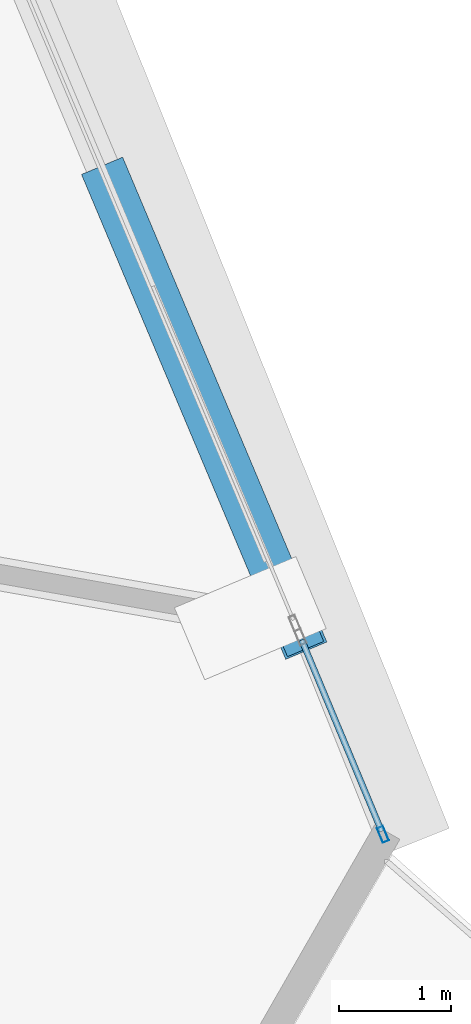
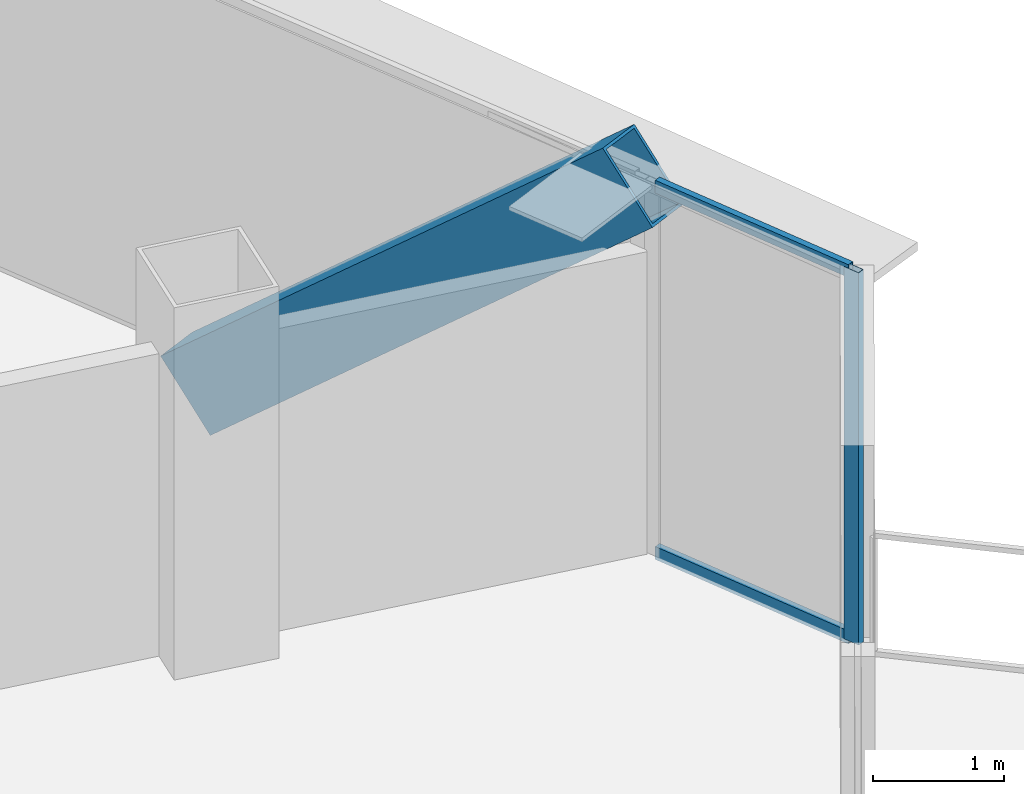
# One storey, part 22 of 35: 4 members, 1 element without a shape of its own.
"""IFC4 building model written with IfcOpenShell, lengths in metres."""

from ifc_helpers import new_model, si_unit, direction, frame, origin, origin_2d, place, context, subcontext, project, spatial, hollow_rectangle, extrude, source, transform, mapped, material, layer, layer_set, material_profile, profile_set, type_object, element, aggregate, save


model = new_model("IFC4")

# Units and contexts
model_context = context("Model", 3, precision=1e-05, world=origin(), true_north=direction((0.0, 1.0)))
body_context = subcontext(model_context, "Body", "Model", "MODEL_VIEW")
ifc_project = project(units=[si_unit("LENGTHUNIT", "METRE"), si_unit("AREAUNIT", "SQUARE_METRE"), si_unit("VOLUMEUNIT", "CUBIC_METRE"), si_unit("PLANEANGLEUNIT", "RADIAN"), si_unit("MASSUNIT", "GRAM", prefix="KILO"), si_unit("THERMODYNAMICTEMPERATUREUNIT", "KELVIN"), si_unit("POWERUNIT", "WATT")], contexts=[model_context])

# Site, building, storey
site_placement = place(None, origin())
site = spatial("IfcSite", under=ifc_project, at=site_placement, CompositionType="ELEMENT")
building_placement = place(site_placement, origin())
building = spatial("IfcBuilding", under=site, at=building_placement, Name="Yunzhuo Pagoda Commons", CompositionType="ELEMENT")
storey_placement = place(building_placement, frame((0.0, 0.0, 237.070068359375)))
storey = spatial("IfcBuildingStorey", under=building, at=storey_placement, Name="L59", CompositionType="ELEMENT", Elevation=237.070068359375)

# Member
ifc_material_1 = material(Name="Structural steel Q355B", Category="steel")
ifc_material_profile_1 = material_profile(ifc_material_1, hollow_rectangle(XDim=0.39990234375, YDim=0.719970703125, WallThickness=0.02392578125, at=origin_2d()), Name="Structural steel Q355B")
ifc_profile_set_1 = profile_set([ifc_material_profile_1], Name="Structural steel Q355B")
member_type_1 = type_object("IfcMemberType", Name="M-DL2 Brace BOX 720x400x24", PredefinedType="BRACE", material=ifc_profile_set_1)
shared_shape_1 = source(origin(), body_context, "Body", "SweptSolid", [
    extrude(hollow_rectangle(XDim=0.39990234375, YDim=0.719970703125, WallThickness=0.02392578125, at=origin_2d()), origin(), (0.0, 0.0, 1.0), 5.644775390625),
])
member_1_placement = place(storey_placement, frame((81.778076171875, 31.358642578125, -0.260009765625), z_axis=(0.291340589112, -0.691717642765, 0.660792981064), x_axis=(0.921591981361, 0.388160044172, 0.0)))
element("IfcMember", 1, at=member_1_placement, inside=storey, type_object=member_type_1, Name="L59 facade diamond brace F2.1L", PredefinedType="BRACE", context=body_context, shape_type="MappedRepresentation", body=[
    mapped(shared_shape_1, transform((0.0, 0.0, 0.0), scale=1.0)),
])

# Curtain wall, members
ifc_material_2 = material(Name="Anodized aluminium 6063-T6", Category="aluminium")
ifc_layer = layer(ifc_material_2, 0.139892578125)
ifc_layer_set = layer_set([ifc_layer], Name="Anodized aluminium 6063-T6")
curtain_wall_type = type_object("IfcCurtainWallType", Name="CW-HI High-Zone Ribbon Curtain Wall", PredefinedType="NOTDEFINED", material=ifc_layer_set)
curtain_wall_placement = place(storey_placement, origin())
curtain_wall = element("IfcCurtainWall", 2, at=curtain_wall_placement, inside=storey, type_object=curtain_wall_type, Name="L59 curtain wall CW-L59-F2B1", PredefinedType="NOTDEFINED")
ifc_material_profile_2 = material_profile(ifc_material_2, hollow_rectangle(XDim=0.06005859375, YDim=0.139892578125, WallThickness=0.00341796875, at=origin_2d()), Name="Anodized aluminium 6063-T6")
ifc_profile_set_2 = profile_set([ifc_material_profile_2], Name="Anodized aluminium 6063-T6")
member_type_2 = type_object("IfcMemberType", Name="CW-HI-M Mullion RHS 140x60x3.5", PredefinedType="MULLION", material=ifc_profile_set_2)
shared_shape_2 = source(origin(), body_context, "Body", "SweptSolid", [
    extrude(hollow_rectangle(XDim=0.06005859375, YDim=0.139892578125, WallThickness=0.00341796875, at=origin_2d()), origin(), (0.0, 0.0, 1.0), 3.469970703125),
])
member_2_placement = place(storey_placement, frame((84.201171875, 25.589599609375, 0.0), z_axis=(0.0, 0.0, 1.0), x_axis=(-0.922772675165, -0.385344767667, 0.0)))
member_2 = element("IfcMember", 3, at=member_2_placement, type_object=member_type_2, Name="CW mullion 1", PredefinedType="MULLION", context=body_context, shape_type="MappedRepresentation", body=[
    mapped(shared_shape_2, transform((0.0, 0.0, 0.0), scale=1.0)),
])
ifc_material_profile_3 = material_profile(ifc_material_2, hollow_rectangle(XDim=0.054931640625, YDim=0.1201171875, WallThickness=0.00341796875, at=origin_2d()), Name="Anodized aluminium 6063-T6")
ifc_profile_set_3 = profile_set([ifc_material_profile_3], Name="Anodized aluminium 6063-T6")
member_type_3 = type_object("IfcMemberType", Name="CW-HI-T Transom RHS 120x55x3.5", PredefinedType="USERDEFINED", material=ifc_profile_set_3)
shared_shape_3 = source(origin(), body_context, "Body", "SweptSolid", [
    extrude(hollow_rectangle(XDim=0.054931640625, YDim=0.1201171875, WallThickness=0.00341796875, at=origin_2d()), origin(), (0.0, 0.0, 1.0), 1.85595703125),
])
member_3_placement = place(storey_placement, frame((84.189697265625, 25.616943359375, 0.02734375), z_axis=(-0.385297137482, 0.922792563823, 0.0), x_axis=(-0.922792563823, -0.385297137482, 0.0)))
member_3 = element("IfcMember", 4, at=member_3_placement, type_object=member_type_3, Name="CW transom 1.1", ObjectType="TRANSOM", PredefinedType="USERDEFINED", context=body_context, shape_type="MappedRepresentation", body=[
    mapped(shared_shape_3, transform((0.0, 0.0, 0.0), scale=1.0)),
])
member_4_placement = place(storey_placement, frame((84.189697265625, 25.616943359375, 3.4423828125), z_axis=(-0.385297137482, 0.922792563823, 0.0), x_axis=(-0.922792563823, -0.385297137482, 0.0)))
member_4 = element("IfcMember", 5, at=member_4_placement, type_object=member_type_3, Name="CW transom 1.2", ObjectType="TRANSOM", PredefinedType="USERDEFINED", context=body_context, shape_type="MappedRepresentation", body=[
    mapped(shared_shape_3, transform((0.0, 0.0, 0.0), scale=1.0)),
])
aggregate(curtain_wall, [member_2, member_3, member_4])

save(model, "model.ifc")
